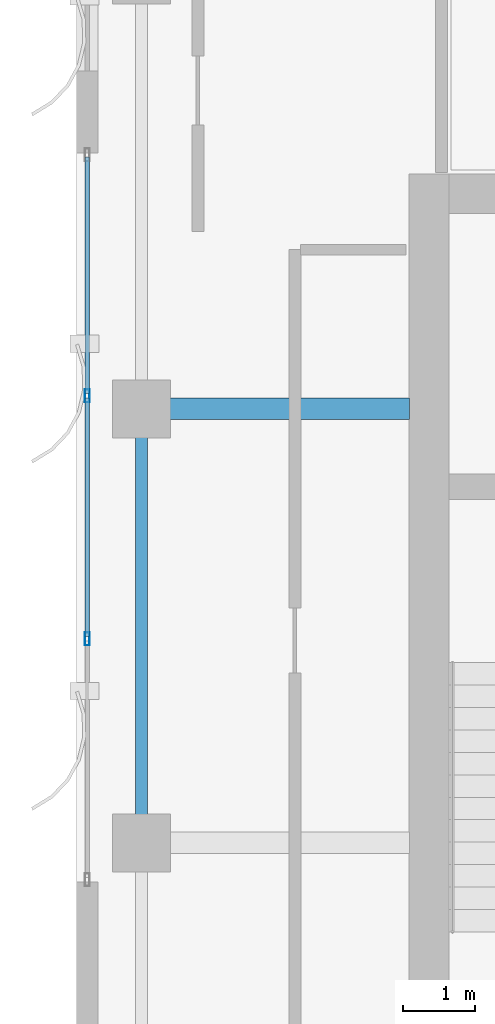
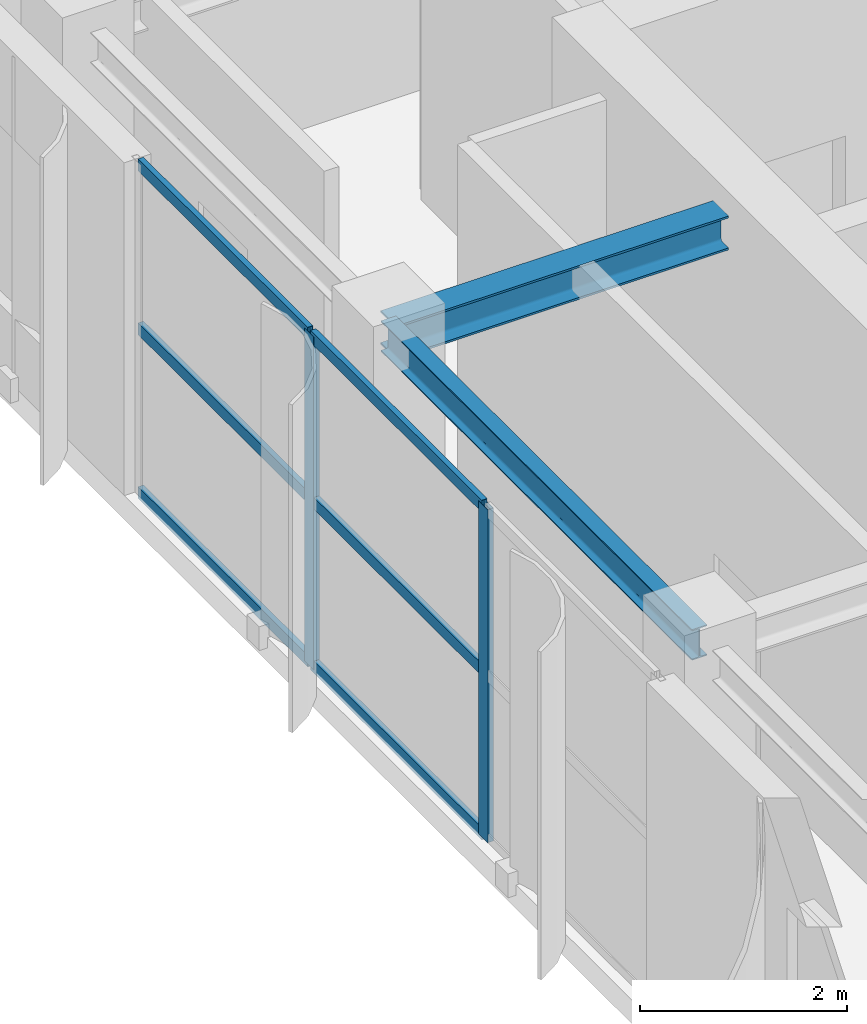
# One storey, part 8 of 26: 8 members, 2 beams, 1 element without a shape of its own.
"""IFC4 building model written with IfcOpenShell, lengths in metres."""

from ifc_helpers import new_model, si_unit, direction, frame, origin, origin_2d, place, context, subcontext, project, spatial, hollow_rectangle, i_section, extrude, source, transform, mapped, material, layer, layer_set, material_profile, profile_set, type_object, element, aggregate, save


model = new_model("IFC4")

# Units and contexts
model_context = context("Model", 3, precision=1e-05, world=origin(), true_north=direction((0.0, 1.0)))
body_context = subcontext(model_context, "Body", "Model", "MODEL_VIEW")
ifc_project = project(units=[si_unit("LENGTHUNIT", "METRE"), si_unit("AREAUNIT", "SQUARE_METRE"), si_unit("VOLUMEUNIT", "CUBIC_METRE"), si_unit("PLANEANGLEUNIT", "RADIAN"), si_unit("MASSUNIT", "GRAM", prefix="KILO")], contexts=[model_context])

# Site, building, storey
site_placement = place(None, origin())
site = spatial("IfcSite", under=ifc_project, at=site_placement, CompositionType="ELEMENT")
building_placement = place(site_placement, origin())
building = spatial("IfcBuilding", under=site, at=building_placement, Name="Khoralis Quay Care Tower", CompositionType="ELEMENT")
storey_placement = place(building_placement, frame((0.0, 0.0, 289.5)))
storey = spatial("IfcBuildingStorey", under=building, at=storey_placement, Name="L76", CompositionType="ELEMENT", Elevation=289.5)

# Beams
ifc_material_1 = material(Name="Steel S355", Category="steel")
ifc_material_profile_1 = material_profile(ifc_material_1, i_section(OverallWidth=0.169921875, OverallDepth=0.360107421875, WebThickness=0.008056640625, FlangeThickness=0.0126953125, FilletRadius=0.01806640625, at=origin_2d()), Name="Steel S355")
ifc_profile_set_1 = profile_set([ifc_material_profile_1], Name="Steel S355")
beam_type_1 = type_object("IfcBeamType", Name="BM-IPE360", PredefinedType="SPANDREL", material=ifc_profile_set_1)
shared_shape_1 = source(origin(), body_context, "Body", "SweptSolid", [
    extrude(i_section(OverallWidth=0.169921875, OverallDepth=0.360107421875, WebThickness=0.008056640625, FlangeThickness=0.0126953125, FilletRadius=0.01806640625, at=origin_2d()), origin(), (0.0, 0.0, 1.0), 6.0),
])
beam_1_placement = place(storey_placement, frame((3.89990234375, 18.0, 3.739990234375), z_axis=(0.0, 1.0, 0.0), x_axis=(-1.0, 0.0, 0.0)))
element("IfcBeam", 1, at=beam_1_placement, inside=storey, type_object=beam_type_1, Name="BM-TSP-L76-10", PredefinedType="SPANDREL", context=body_context, shape_type="MappedRepresentation", body=[
    mapped(shared_shape_1, transform((0.0, 0.0, 0.0), scale=1.0)),
])
ifc_material_profile_2 = material_profile(ifc_material_1, i_section(OverallWidth=0.300048828125, OverallDepth=0.39990234375, WebThickness=0.013427734375, FlangeThickness=0.02392578125, FilletRadius=0.027099609375, at=origin_2d()), Name="Steel S355")
ifc_profile_set_2 = profile_set([ifc_material_profile_2], Name="Steel S355")
beam_type_2 = type_object("IfcBeamType", Name="BM-HEB400", PredefinedType="BEAM", material=ifc_profile_set_2)
shared_shape_2 = source(origin(), body_context, "Body", "SweptSolid", [
    extrude(i_section(OverallWidth=0.300048828125, OverallDepth=0.39990234375, WebThickness=0.013427734375, FlangeThickness=0.02392578125, FilletRadius=0.027099609375, at=origin_2d()), origin(), (0.0, 0.0, 1.0), 3.7021484375),
])
beam_2_placement = place(storey_placement, frame((3.89990234375, 24.0, 3.719970703125), z_axis=(1.0, 0.0, 0.0), x_axis=(0.0, 1.0, 0.0)))
element("IfcBeam", 2, at=beam_2_placement, inside=storey, type_object=beam_type_2, Name="BM-TGXW-L76-240", PredefinedType="BEAM", context=body_context, shape_type="MappedRepresentation", body=[
    mapped(shared_shape_2, transform((0.0, 0.0, 0.0), scale=1.0)),
])

# Curtain wall, members
ifc_material_2 = material(Name="Pale anodised aluminium", Category="aluminium")
ifc_layer = layer(ifc_material_2, 0.159912109375)
ifc_layer_set = layer_set([ifc_layer], Name="Pale anodised aluminium")
curtain_wall_type = type_object("IfcCurtainWallType", Name="CW-SYS-Z3", PredefinedType="NOTDEFINED", material=ifc_layer_set)
curtain_wall_placement = place(storey_placement, origin())
curtain_wall = element("IfcCurtainWall", 3, at=curtain_wall_placement, inside=storey, type_object=curtain_wall_type, Name="L76 Unitised Curtain Wall CW-L76-P1-E15", PredefinedType="NOTDEFINED")
ifc_material_profile_3 = material_profile(ifc_material_2, hollow_rectangle(XDim=0.06005859375, YDim=0.139892578125, WallThickness=0.00390625, at=origin_2d()), Name="Pale anodised aluminium")
ifc_profile_set_3 = profile_set([ifc_material_profile_3], Name="Pale anodised aluminium")
member_type_1 = type_object("IfcMemberType", Name="CW-TRN-140", PredefinedType="USERDEFINED", material=ifc_profile_set_3)
shared_shape_3 = source(origin(), body_context, "Body", "SweptSolid", [
    extrude(hollow_rectangle(XDim=0.06005859375, YDim=0.139892578125, WallThickness=0.00390625, at=origin_2d()), origin(), (0.0, 0.0, 1.0), 3.27001953125),
])
member_1_placement = place(storey_placement, frame((3.14990234375, 27.47998046875, 0.030029296875), z_axis=(0.0, -1.0, 0.0), x_axis=(1.0, 0.0, 0.0)))
member_1 = element("IfcMember", 4, at=member_1_placement, type_object=member_type_1, Name="CW3 transom 1.1", ObjectType="TRANSOM", PredefinedType="USERDEFINED", context=body_context, shape_type="MappedRepresentation", body=[
    mapped(shared_shape_3, transform((0.0, 0.0, 0.0), scale=1.0)),
])
member_2_placement = place(storey_placement, frame((3.14990234375, 27.47998046875, 1.9599609375), z_axis=(0.0, -1.0, 0.0), x_axis=(1.0, 0.0, 0.0)))
member_2 = element("IfcMember", 5, at=member_2_placement, type_object=member_type_1, Name="CW3 transom 1.2", ObjectType="TRANSOM", PredefinedType="USERDEFINED", context=body_context, shape_type="MappedRepresentation", body=[
    mapped(shared_shape_3, transform((0.0, 0.0, 0.0), scale=1.0)),
])
member_3_placement = place(storey_placement, frame((3.14990234375, 27.47998046875, 3.889892578125), z_axis=(0.0, -1.0, 0.0), x_axis=(1.0, 0.0, 0.0)))
member_3 = element("IfcMember", 6, at=member_3_placement, type_object=member_type_1, Name="CW3 transom 1.3", ObjectType="TRANSOM", PredefinedType="USERDEFINED", context=body_context, shape_type="MappedRepresentation", body=[
    mapped(shared_shape_3, transform((0.0, 0.0, 0.0), scale=1.0)),
])
shared_shape_4 = source(origin(), body_context, "Body", "SweptSolid", [
    extrude(hollow_rectangle(XDim=0.06005859375, YDim=0.139892578125, WallThickness=0.00390625, at=origin_2d()), origin(), (0.0, 0.0, 1.0), 3.2998046875),
])
member_4_placement = place(storey_placement, frame((3.14990234375, 24.14990234375, 0.030029296875), z_axis=(0.0, -1.0, 0.0), x_axis=(1.0, 0.0, 0.0)))
member_4 = element("IfcMember", 7, at=member_4_placement, type_object=member_type_1, Name="CW3 transom 2.1", ObjectType="TRANSOM", PredefinedType="USERDEFINED", context=body_context, shape_type="MappedRepresentation", body=[
    mapped(shared_shape_4, transform((0.0, 0.0, 0.0), scale=1.0)),
])
member_5_placement = place(storey_placement, frame((3.14990234375, 24.14990234375, 1.9599609375), z_axis=(0.0, -1.0, 0.0), x_axis=(1.0, 0.0, 0.0)))
member_5 = element("IfcMember", 8, at=member_5_placement, type_object=member_type_1, Name="CW3 transom 2.2", ObjectType="TRANSOM", PredefinedType="USERDEFINED", context=body_context, shape_type="MappedRepresentation", body=[
    mapped(shared_shape_4, transform((0.0, 0.0, 0.0), scale=1.0)),
])
member_6_placement = place(storey_placement, frame((3.14990234375, 24.14990234375, 3.889892578125), z_axis=(0.0, -1.0, 0.0), x_axis=(1.0, 0.0, 0.0)))
member_6 = element("IfcMember", 9, at=member_6_placement, type_object=member_type_1, Name="CW3 transom 2.3", ObjectType="TRANSOM", PredefinedType="USERDEFINED", context=body_context, shape_type="MappedRepresentation", body=[
    mapped(shared_shape_4, transform((0.0, 0.0, 0.0), scale=1.0)),
])
ifc_material_profile_4 = material_profile(ifc_material_2, hollow_rectangle(XDim=0.06494140625, YDim=0.179931640625, WallThickness=0.00390625, at=origin_2d()), Name="Pale anodised aluminium")
ifc_profile_set_4 = profile_set([ifc_material_profile_4], Name="Pale anodised aluminium")
member_type_2 = type_object("IfcMemberType", Name="CW-MUL-180", PredefinedType="MULLION", material=ifc_profile_set_4)
shared_shape_5 = source(origin(), body_context, "Body", "SweptSolid", [
    extrude(hollow_rectangle(XDim=0.06494140625, YDim=0.179931640625, WallThickness=0.00390625, at=origin_2d()), origin(), (0.0, 0.0, 1.0), 3.919921875),
])
member_7_placement = place(storey_placement, frame((3.14990234375, 24.179931640625, 0.0), z_axis=(0.0, 0.0, 1.0), x_axis=(1.0, 0.0, 0.0)))
member_7 = element("IfcMember", 10, at=member_7_placement, type_object=member_type_2, Name="CW3 mullion 2", PredefinedType="MULLION", context=body_context, shape_type="MappedRepresentation", body=[
    mapped(shared_shape_5, transform((0.0, 0.0, 0.0), scale=1.0)),
])
member_8_placement = place(storey_placement, frame((3.14990234375, 20.820068359375, 0.0), z_axis=(0.0, 0.0, 1.0), x_axis=(1.0, 0.0, 0.0)))
member_8 = element("IfcMember", 11, at=member_8_placement, type_object=member_type_2, Name="CW3 mullion 3", PredefinedType="MULLION", context=body_context, shape_type="MappedRepresentation", body=[
    mapped(shared_shape_5, transform((0.0, 0.0, 0.0), scale=1.0)),
])
aggregate(curtain_wall, [member_7, member_8, member_1, member_2, member_3, member_4, member_5, member_6])

save(model, "model.ifc")
